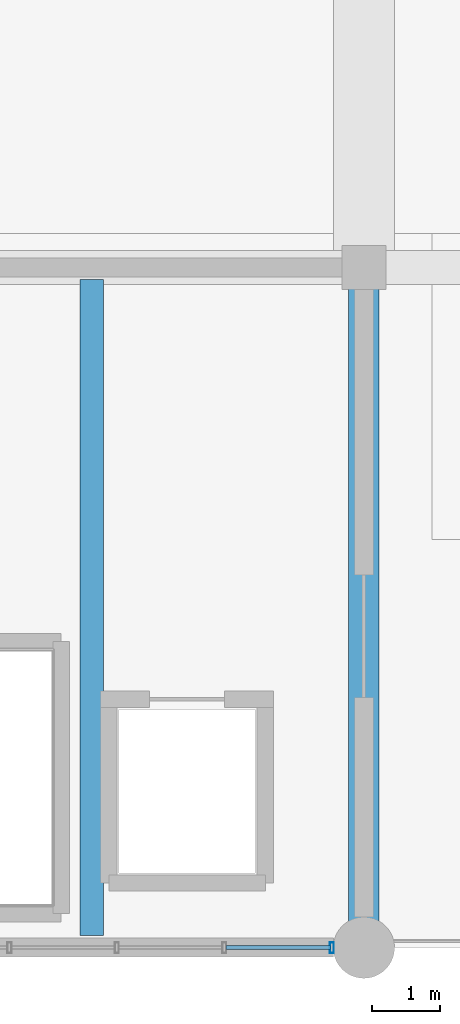
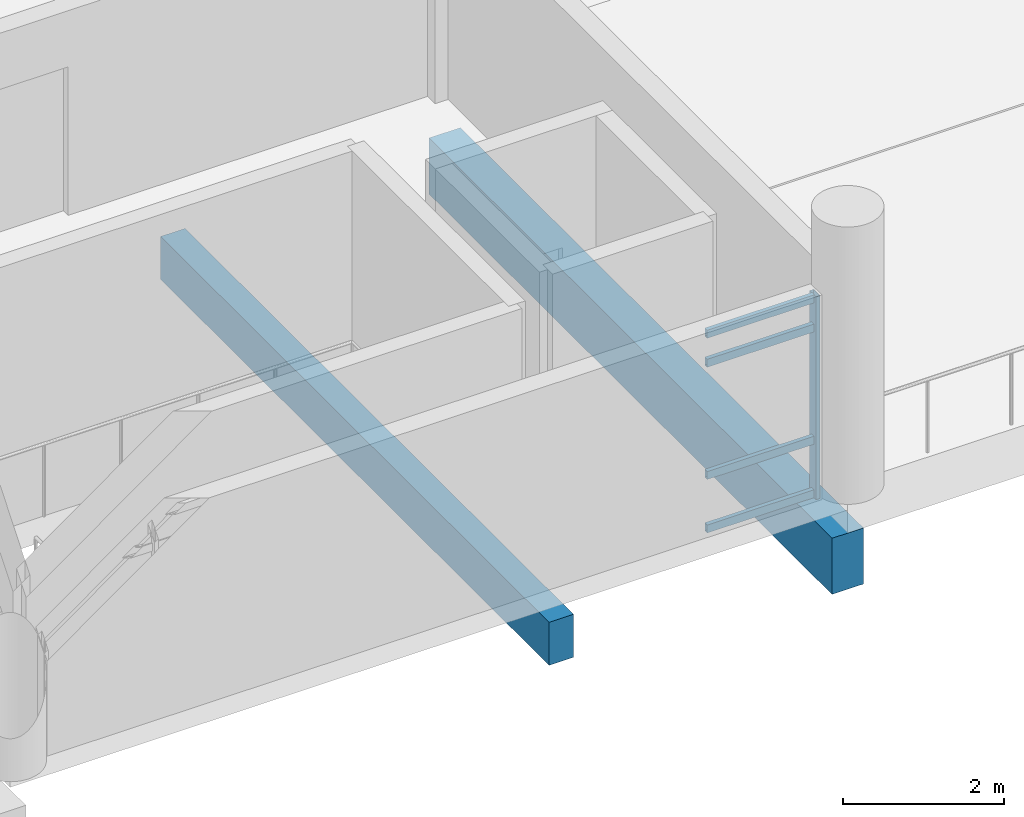
# One storey, part 6 of 111: 5 members, 2 beams, 1 element without a shape of its own.
"""IFC4 building model written with IfcOpenShell, lengths in metres."""

import ifcopenshell
import ifcopenshell.guid

model = None  # the IFC model being written
_history = None  # IfcOwnerHistory: only IFC2X3 demands one
_inside = {}  # id of a spatial element -> (the spatial element, [elements in it])
_under = {}  # id of a project, library or spatial element -> (it, [spatial elements below it])
_declared = {}  # id of a project -> (the project, [libraries it declares])
_typed = {}  # id of a type object -> (the type object, [elements of that type])
_made_of = {}  # id of a material, layer set ... -> (it, [elements and type objects made of it])


def new_model(schema):
    """Start an empty IFC model of exactly this schema.

    Asked for "IFC4X3", IfcOpenShell would pick the latest addendum, in which some entities
    have other attributes; the version numbers below select the first issue.
    IFC2X3 requires an IfcOwnerHistory on every rooted entity: one is made here for all.
    """
    global model, _history
    if schema == "IFC4X3":
        model = ifcopenshell.file(schema_version=(4, 3, 0, 0))
    else:
        model = ifcopenshell.file(schema=schema)
    _inside.clear()
    _under.clear()
    _declared.clear()
    _typed.clear()
    _made_of.clear()
    _history = None
    if model.schema == "IFC2X3":
        org = make("IfcOrganization", Name="unknown")
        user = make(
            "IfcPersonAndOrganization",
            ThePerson=make("IfcPerson", FamilyName="unknown"),
            TheOrganization=org,
        )
        app = make(
            "IfcApplication",
            ApplicationDeveloper=org,
            Version="unknown",
            ApplicationFullName="unknown",
            ApplicationIdentifier="unknown",
        )
        _history = make(
            "IfcOwnerHistory",
            OwningUser=user,
            OwningApplication=app,
            ChangeAction="ADDED",
            CreationDate=0,
        )
    return model


def make(cls, **values):
    """One entity of the class cls with the attributes given. An attribute that is None is left unset."""
    return model.create_entity(
        cls, **{name: value for name, value in values.items() if value is not None}
    )


def rooted(cls, **values):
    """An entity with a GlobalId (a new one), such as an element, a storey or a relation."""
    return make(cls, GlobalId=ifcopenshell.guid.new(), OwnerHistory=_history, **values)


def si_unit(unit_type, name, prefix=None):
    """IfcSIUnit, for example si_unit("LENGTHUNIT", "METRE", prefix="MILLI")."""
    return make("IfcSIUnit", UnitType=unit_type, Prefix=prefix, Name=name)


def assignment(units):
    """IfcUnitAssignment: the units of a project."""
    return None if units is None else make("IfcUnitAssignment", Units=units)


def point(xyz):
    """IfcCartesianPoint."""
    return None if xyz is None else make("IfcCartesianPoint", Coordinates=xyz)


def direction(xyz):
    """IfcDirection."""
    return None if xyz is None else make("IfcDirection", DirectionRatios=xyz)


def frame(location, z_axis=None, x_axis=None):
    """IfcAxis2Placement3D, a coordinate frame: its origin and axes. An axis left out is left unset."""
    return make(
        "IfcAxis2Placement3D",
        Location=point(location),
        Axis=direction(z_axis),
        RefDirection=direction(x_axis),
    )


def frame_2d(location, x_axis=None):
    """IfcAxis2Placement2D, a coordinate frame in the plane: its origin and x axis."""
    return make(
        "IfcAxis2Placement2D", Location=point(location), RefDirection=direction(x_axis)
    )


def origin():
    """The frame at (0, 0, 0) with its axes left unset."""
    return frame((0.0, 0.0, 0.0))


def origin_2d():
    """The frame at (0, 0) in the plane with its x axis left unset."""
    return frame_2d((0.0, 0.0))


def place(relative_to, where):
    """IfcLocalPlacement: puts the frame where relative to a parent placement (None: the world)."""
    return make(
        "IfcLocalPlacement", PlacementRelTo=relative_to, RelativePlacement=where
    )


def context(
    kind, dimensions, precision=None, world=None, true_north=None, identifier=None
):
    """IfcGeometricRepresentationContext, for example the 3D "Model" context."""
    return make(
        "IfcGeometricRepresentationContext",
        ContextIdentifier=identifier,
        ContextType=kind,
        CoordinateSpaceDimension=dimensions,
        Precision=precision,
        WorldCoordinateSystem=world,
        TrueNorth=true_north,
    )


def subcontext(parent, identifier, kind, view, scale=None):
    """IfcGeometricRepresentationSubContext, for example "Body" below "Model"."""
    return make(
        "IfcGeometricRepresentationSubContext",
        ContextIdentifier=identifier,
        ContextType=kind,
        ParentContext=parent,
        TargetScale=scale,
        TargetView=view,
    )


def project(units=None, contexts=None):
    """IfcProject with its units and contexts."""
    return rooted(
        "IfcProject",
        Name="project",
        RepresentationContexts=contexts,
        UnitsInContext=assignment(units),
    )


def spatial(cls, under=None, at=None, **own):
    """A site, building, storey or space (cls), placed at a placement, below another one or the project."""
    s = rooted(cls, ObjectPlacement=at, **own)
    if under is not None:
        _under.setdefault(under.id(), (under, []))[1].append(s)
    return s


def profile(cls, at=None, kind="AREA", **sizes):
    """A parametric profile (cls). Its sizes go by their IFC names, for example OverallWidth=200.0."""
    return make(cls, ProfileType=kind, Position=at, **sizes)


def rectangle(**sizes):
    """IfcRectangleProfileDef."""
    return profile("IfcRectangleProfileDef", **sizes)


def hollow_rectangle(**sizes):
    """IfcRectangleHollowProfileDef."""
    return profile("IfcRectangleHollowProfileDef", **sizes)


def extrude(swept, where, along, depth):
    """IfcExtrudedAreaSolid: the profile swept, set in the frame where, extruded along a direction by depth."""
    return make(
        "IfcExtrudedAreaSolid",
        SweptArea=swept,
        Position=where,
        ExtrudedDirection=direction(along),
        Depth=depth,
    )


def shape(context_of_items, identifier, shape_type, items):
    """IfcShapeRepresentation: the items that make up one representation, for example the "Body"."""
    return make(
        "IfcShapeRepresentation",
        ContextOfItems=context_of_items,
        RepresentationIdentifier=identifier,
        RepresentationType=shape_type,
        Items=items,
    )


def material(Name=None, Category=None):
    """IfcMaterial."""
    return make("IfcMaterial", Name=Name, Category=Category)


def layer(
    of_material, thickness, ventilated=None, Name=None, Category=None, Priority=None
):
    """IfcMaterialLayer: one layer of a wall or slab, of a material (None: an air gap)."""
    return make(
        "IfcMaterialLayer",
        Material=of_material,
        LayerThickness=thickness,
        IsVentilated=ventilated,
        Name=Name,
        Category=Category,
        Priority=Priority,
    )


def layer_set(layers, Name=None):
    """IfcMaterialLayerSet."""
    return make("IfcMaterialLayerSet", MaterialLayers=layers, LayerSetName=Name)


def material_profile(
    of_material, cross_section, Name=None, Category=None, Priority=None
):
    """IfcMaterialProfile: a cross section and its material."""
    return make(
        "IfcMaterialProfile",
        Name=Name,
        Material=of_material,
        Profile=cross_section,
        Priority=Priority,
        Category=Category,
    )


def profile_set(profiles, Name=None, composite=None):
    """IfcMaterialProfileSet."""
    return make(
        "IfcMaterialProfileSet",
        Name=Name,
        MaterialProfiles=profiles,
        CompositeProfile=composite,
    )


def made_of(thing, what):
    """Note that an element or type object is made of a material, layer set ...; save() writes the relation."""
    if what is not None:
        _made_of.setdefault(what.id(), (what, []))[1].append(thing)
    return thing


def type_object(cls, material=None, **own):
    """A type object (cls), such as IfcWallType, which elements share."""
    return made_of(rooted(cls, **own), material)


def element(
    cls,
    number,
    at=None,
    inside=None,
    cuts=None,
    type_object=None,
    material=None,
    context=None,
    identifier="Body",
    shape_type=None,
    held_by="IfcProductDefinitionShape",
    body=None,
    shapes=None,
    **own,
):
    """One element of the class cls, such as IfcWall. Its Tag is "e" and its number.

    at: its placement. inside: the storey or other place that contains it. cuts: it is an
    opening in that element (IfcRelVoidsElement). A single representation is given by context,
    identifier, shape_type and body (its items); several are given by shapes. held_by: the class
    of the entity that holds the representations. save() writes the other relations.
    """
    e = rooted(cls, Tag="e%d" % number, ObjectPlacement=at, **own)
    if body is not None:
        shapes = [shape(context, identifier, shape_type, body)]
    if shapes is not None:
        e.Representation = make(held_by, Representations=shapes)
    if inside is not None:
        _inside.setdefault(inside.id(), (inside, []))[1].append(e)
    if cuts is not None:
        rooted(
            "IfcRelVoidsElement", RelatingBuildingElement=cuts, RelatedOpeningElement=e
        )
    if type_object is not None:
        _typed.setdefault(type_object.id(), (type_object, []))[1].append(e)
    return made_of(e, material)


def aggregate(whole, parts):
    """IfcRelAggregates: a whole, such as a stair, and the parts it consists of."""
    return rooted("IfcRelAggregates", RelatingObject=whole, RelatedObjects=parts)


def save(model, path):
    """Write the relations noted so far, then the file.

    IfcRelAggregates (storeys below a building ...), IfcRelContainedInSpatialStructure (elements
    in a storey), IfcRelDefinesByType, IfcRelAssociatesMaterial and IfcRelDeclares: one each for
    every whole, place, type object, material and project.
    """
    for whole, parts in _under.values():
        aggregate(whole, parts)
    for where, things in _inside.values():
        rooted(
            "IfcRelContainedInSpatialStructure",
            RelatedElements=things,
            RelatingStructure=where,
        )
    for kind, things in _typed.values():
        rooted("IfcRelDefinesByType", RelatedObjects=things, RelatingType=kind)
    for what, things in _made_of.values():
        rooted("IfcRelAssociatesMaterial", RelatedObjects=things, RelatingMaterial=what)
    for by, libraries in _declared.values():
        rooted("IfcRelDeclares", RelatingContext=by, RelatedDefinitions=libraries)
    model.write(path)


model = new_model("IFC4")

# Units and contexts
model_context = context("Model", 3, precision=1e-05, world=origin(), true_north=direction((0.0, 1.0)))
body_context = subcontext(model_context, "Body", "Model", "MODEL_VIEW")
ifc_project = project(units=[si_unit("LENGTHUNIT", "METRE"), si_unit("AREAUNIT", "SQUARE_METRE"), si_unit("VOLUMEUNIT", "CUBIC_METRE"), si_unit("PLANEANGLEUNIT", "RADIAN"), si_unit("MASSUNIT", "GRAM", prefix="KILO")], contexts=[model_context])

# Site, building, storey
site_placement = place(None, origin())
site = spatial("IfcSite", under=ifc_project, at=site_placement, CompositionType="ELEMENT")
building_placement = place(site_placement, origin())
building = spatial("IfcBuilding", under=site, at=building_placement, Name="Mersad Railyard Sports Hall", CompositionType="ELEMENT")
storey_placement = place(building_placement, frame((0.0, 0.0, 9.0)))
storey = spatial("IfcBuildingStorey", under=building, at=storey_placement, Name="L02", CompositionType="ELEMENT", Elevation=9.0)

# Curtain wall, members
ifc_material_1 = material(Name="Aluminium 6063-T6", Category="aluminium")
ifc_layer = layer(ifc_material_1, 0.159912109375)
ifc_layer_set = layer_set([ifc_layer], Name="Aluminium 6063-T6")
curtain_wall_type = type_object("IfcCurtainWallType", Name="ARC-CW-CW06", PredefinedType="USERDEFINED", material=ifc_layer_set)
curtain_wall_placement = place(storey_placement, origin())
curtain_wall = element("IfcCurtainWall", 1, at=curtain_wall_placement, inside=storey, type_object=curtain_wall_type, Name="Curtain wall CW06-0029", ObjectType="CURTAIN WALL", PredefinedType="USERDEFINED")
ifc_material_profile_1 = material_profile(ifc_material_1, hollow_rectangle(XDim=0.06005859375, YDim=0.159912109375, WallThickness=0.00390625, at=origin_2d()), Name="AL MULLION 60x160x4")
ifc_profile_set_1 = profile_set([ifc_material_profile_1], Name="Aluminium 6063-T6")
member_type_1 = type_object("IfcMemberType", Name="ARC-CW-MUL01", PredefinedType="MULLION", material=ifc_profile_set_1)
member_1_placement = place(storey_placement, frame((18.530029296875, 3.5, -0.02001953125), z_axis=(0.0, 0.0, 1.0), x_axis=(1.0, 0.0, 0.0)))
member_1 = element("IfcMember", 2, at=member_1_placement, type_object=member_type_1, Name="CW06 Mullion 1", PredefinedType="MULLION", context=body_context, shape_type="SweptSolid", body=[
    extrude(hollow_rectangle(XDim=0.06005859375, YDim=0.159912109375, WallThickness=0.00390625, at=origin_2d()), origin(), (0.0, 0.0, 1.0), 3.070068359375),
])
ifc_material_profile_2 = material_profile(ifc_material_1, hollow_rectangle(XDim=0.06005859375, YDim=0.1201171875, WallThickness=0.00390625, at=origin_2d()), Name="AL TRANSOM 60x120x4")
ifc_profile_set_2 = profile_set([ifc_material_profile_2], Name="Aluminium 6063-T6")
member_type_2 = type_object("IfcMemberType", Name="ARC-CW-TRN01", PredefinedType="USERDEFINED", material=ifc_profile_set_2)
member_2_placement = place(storey_placement, frame((18.510009765625, 3.5, 0.0400390625), z_axis=(-1.0, 0.0, 0.0), x_axis=(0.0, -1.0, 0.0)))
member_2 = element("IfcMember", 3, at=member_2_placement, type_object=member_type_2, Name="CW06 Transom 1-1", ObjectType="TRANSOM", PredefinedType="USERDEFINED", context=body_context, shape_type="SweptSolid", body=[
    extrude(hollow_rectangle(XDim=0.06005859375, YDim=0.1201171875, WallThickness=0.00390625, at=origin_2d()), origin(), (0.0, 0.0, 1.0), 1.5400390625),
])
member_3_placement = place(storey_placement, frame((18.510009765625, 3.5, 0.85009765625), z_axis=(-1.0, 0.0, 0.0), x_axis=(0.0, -1.0, 0.0)))
member_3 = element("IfcMember", 4, at=member_3_placement, type_object=member_type_2, Name="CW06 Transom 2-1", ObjectType="TRANSOM", PredefinedType="USERDEFINED", context=body_context, shape_type="SweptSolid", body=[
    extrude(hollow_rectangle(XDim=0.06005859375, YDim=0.1201171875, WallThickness=0.00390625, at=origin_2d()), origin(), (0.0, 0.0, 1.0), 1.5400390625),
])
member_4_placement = place(storey_placement, frame((18.510009765625, 3.5, 2.550048828125), z_axis=(-1.0, 0.0, 0.0), x_axis=(0.0, -1.0, 0.0)))
member_4 = element("IfcMember", 5, at=member_4_placement, type_object=member_type_2, Name="CW06 Transom 3-1", ObjectType="TRANSOM", PredefinedType="USERDEFINED", context=body_context, shape_type="SweptSolid", body=[
    extrude(hollow_rectangle(XDim=0.06005859375, YDim=0.1201171875, WallThickness=0.00390625, at=origin_2d()), origin(), (0.0, 0.0, 1.0), 1.5400390625),
])
member_5_placement = place(storey_placement, frame((18.510009765625, 3.5, 2.989990234375), z_axis=(-1.0, 0.0, 0.0), x_axis=(0.0, -1.0, 0.0)))
member_5 = element("IfcMember", 6, at=member_5_placement, type_object=member_type_2, Name="CW06 Transom 4-1", ObjectType="TRANSOM", PredefinedType="USERDEFINED", context=body_context, shape_type="SweptSolid", body=[
    extrude(hollow_rectangle(XDim=0.06005859375, YDim=0.1201171875, WallThickness=0.00390625, at=origin_2d()), origin(), (0.0, 0.0, 1.0), 1.5400390625),
])
aggregate(curtain_wall, [member_1, member_2, member_3, member_4, member_5])

# Beams
ifc_material_2 = material(Name="Concrete C40/50", Category="concrete")
ifc_material_profile_3 = material_profile(ifc_material_2, rectangle(XDim=0.449951171875, YDim=0.85009765625, at=origin_2d()), Name="RC 450x850")
ifc_profile_set_3 = profile_set([ifc_material_profile_3], Name="Concrete C40/50")
beam_type_1 = type_object("IfcBeamType", Name="STR-BM-B02", PredefinedType="BEAM", material=ifc_profile_set_3)
beam_1_placement = place(storey_placement, frame((19.0, 3.5, -1.175048828125), z_axis=(0.0, 1.0, 0.0), x_axis=(-1.0, 0.0, 0.0)))
element("IfcBeam", 7, at=beam_1_placement, inside=storey, type_object=beam_type_1, Name="Beam B02-0432", PredefinedType="BEAM", context=body_context, shape_type="SweptSolid", body=[
    extrude(rectangle(XDim=0.449951171875, YDim=0.85009765625, at=origin_2d()), origin(), (0.0, 0.0, 1.0), 10.0),
])
ifc_material_profile_4 = material_profile(ifc_material_2, rectangle(XDim=0.35009765625, YDim=0.64990234375, at=origin_2d()), Name="RC 350x650")
ifc_profile_set_4 = profile_set([ifc_material_profile_4], Name="Concrete C40/50")
beam_type_2 = type_object("IfcBeamType", Name="STR-BM-J01", PredefinedType="JOIST", material=ifc_profile_set_4)
beam_2_placement = place(storey_placement, frame((15.0, 3.679931640625, -1.074951171875), z_axis=(0.0, 1.0, 0.0), x_axis=(-1.0, 0.0, 0.0)))
element("IfcBeam", 8, at=beam_2_placement, inside=storey, type_object=beam_type_2, Name="Beam J01-0454", PredefinedType="JOIST", context=body_context, shape_type="SweptSolid", body=[
    extrude(rectangle(XDim=0.35009765625, YDim=0.64990234375, at=origin_2d()), origin(), (0.0, 0.0, 1.0), 9.64013671875),
])

save(model, "model.ifc")
